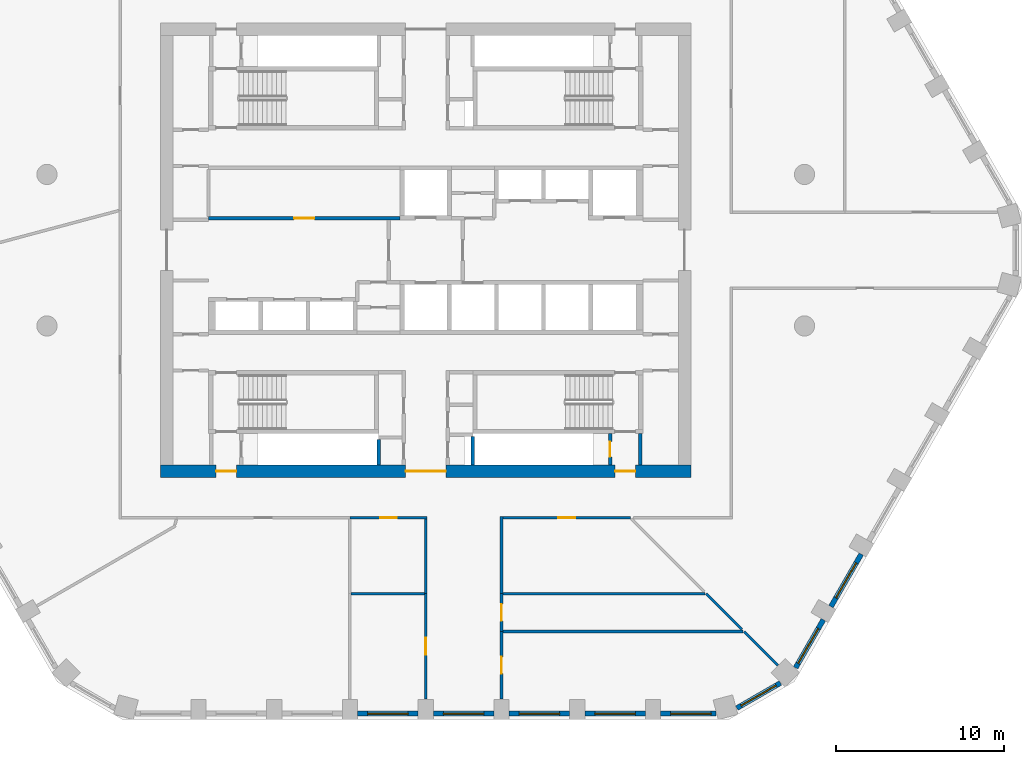
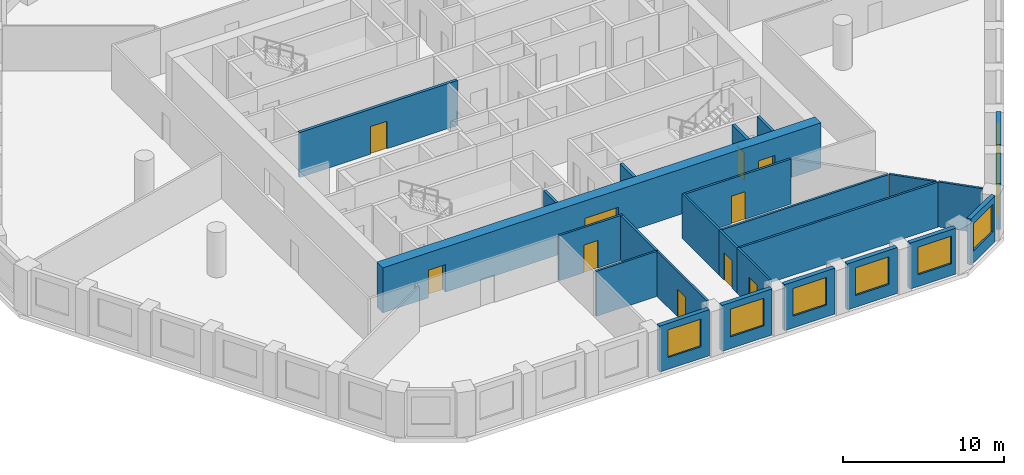
# One storey, part 3 of 9: 26 walls, 10 doors, 8 windows, 18 openings.
"""IFC4 building model written with IfcOpenShell, lengths in metres."""

from ifc_helpers import new_model, si_unit, direction, frame, frame_2d, origin, place, context, subcontext, project, spatial, rectangle, extrude, material, layer, layer_set, type_object, element, fill, save


model = new_model("IFC4")

# Units and contexts
model_context = context("Model", 3, precision=1e-05, world=origin(), true_north=direction((0.0, 1.0)))
body_context = subcontext(model_context, "Body", "Model", "MODEL_VIEW")
ifc_project = project(units=[si_unit("LENGTHUNIT", "METRE"), si_unit("AREAUNIT", "SQUARE_METRE"), si_unit("VOLUMEUNIT", "CUBIC_METRE"), si_unit("PLANEANGLEUNIT", "RADIAN"), si_unit("MASSUNIT", "GRAM", prefix="KILO")], contexts=[model_context])

# Site, building, storey
site_placement = place(None, origin())
site = spatial("IfcSite", under=ifc_project, at=site_placement, CompositionType="ELEMENT")
building_placement = place(site_placement, origin())
building = spatial("IfcBuilding", under=site, at=building_placement, Name="Dhurran Vertical Campus", CompositionType="ELEMENT")
storey_placement = place(building_placement, frame((0.0, 0.0, 175.5)))
storey = spatial("IfcBuildingStorey", under=building, at=storey_placement, Name="L43", CompositionType="ELEMENT", Elevation=175.5)

# Wall, opening, window
ifc_material_1 = material(Name="Precast concrete C50/60", Category="concrete")
ifc_layer_1 = layer(ifc_material_1, 0.300048828125)
ifc_layer_set_1 = layer_set([ifc_layer_1], Name="Precast concrete C50/60")
wall_type_1 = type_object("IfcWallType", Name="Precast spandrel wall 300", PredefinedType="SOLIDWALL", material=ifc_layer_set_1)
wall_1_placement = place(storey_placement, frame((-4.049560546875, -27.53271484375, 0.0), z_axis=(0.0, 0.0, 1.0), x_axis=(1.0, 0.0, 0.0)))
wall_1 = element("IfcWall", 1, at=wall_1_placement, inside=storey, type_object=wall_type_1, Name="EW1 L43.03", PredefinedType="SOLIDWALL", context=body_context, shape_type="SweptSolid", body=[
    extrude(rectangle(XDim=3.59912109375, YDim=0.300048828125, at=frame_2d((1.799560546875, 0.0))), origin(), (0.0, 0.0, 1.0), 3.5),
])
opening_1_placement = place(wall_1_placement, frame((0.599609375, 0.0, 0.89990234375)))
opening_1 = element("IfcOpeningElement", 2, at=opening_1_placement, cuts=wall_1, Name="Opening WT1", PredefinedType="OPENING", context=body_context, shape_type="SweptSolid", body=[
    extrude(rectangle(XDim=2.39990234375, YDim=2.10009765625, at=frame_2d((1.199951171875, 1.050048828125))), frame((0.0, 0.159912109375, 0.0), z_axis=(0.0, -1.0, 0.0), x_axis=(1.0, 0.0, 0.0)), (0.0, 0.0, 1.0), 0.320068359375),
])
ifc_material_2 = material(Name="Aluminium frame with solar-control glass", Category="aluminium")
window_type = type_object("IfcWindowType", Name="Punched window 2400 x 2100", PartitioningType="SINGLE_PANEL", PredefinedType="WINDOW", material=ifc_material_2)
window_1_placement = place(opening_1_placement, origin())
window_1 = element("IfcWindow", 3, at=window_1_placement, inside=storey, type_object=window_type, Name="WT1 L43.03", OverallHeight=2.10009765625, OverallWidth=2.39990234375, PartitioningType="SINGLE_PANEL", PredefinedType="WINDOW", context=body_context, shape_type="SweptSolid", body=[
    extrude(rectangle(XDim=2.39990234375, YDim=2.10009765625, at=frame_2d((1.199951171875, 1.050048828125))), frame((0.0, 0.030029296875, 0.0), z_axis=(0.0, -1.0, 0.0), x_axis=(1.0, 0.0, 0.0)), (0.0, 0.0, 1.0), 0.06005859375),
])
fill(opening_1, window_1)

wall_2_placement = place(storey_placement, frame((0.450439453125, -27.53271484375, 0.0), z_axis=(0.0, 0.0, 1.0), x_axis=(1.0, 0.0, 0.0)))
wall_2 = element("IfcWall", 4, at=wall_2_placement, inside=storey, type_object=wall_type_1, Name="EW1 L43.04", PredefinedType="SOLIDWALL", context=body_context, shape_type="SweptSolid", body=[
    extrude(rectangle(XDim=3.59912109375, YDim=0.300048828125, at=frame_2d((1.799560546875, 0.0))), origin(), (0.0, 0.0, 1.0), 3.5),
])
opening_2_placement = place(wall_2_placement, frame((0.599609375, 0.0, 0.89990234375)))
opening_2 = element("IfcOpeningElement", 5, at=opening_2_placement, cuts=wall_2, Name="Opening WT1", PredefinedType="OPENING", context=body_context, shape_type="SweptSolid", body=[
    extrude(rectangle(XDim=2.39990234375, YDim=2.10009765625, at=frame_2d((1.199951171875, 1.050048828125))), frame((0.0, 0.159912109375, 0.0), z_axis=(0.0, -1.0, 0.0), x_axis=(1.0, 0.0, 0.0)), (0.0, 0.0, 1.0), 0.320068359375),
])
window_2_placement = place(opening_2_placement, origin())
window_2 = element("IfcWindow", 6, at=window_2_placement, inside=storey, type_object=window_type, Name="WT1 L43.04", OverallHeight=2.10009765625, OverallWidth=2.39990234375, PartitioningType="SINGLE_PANEL", PredefinedType="WINDOW", context=body_context, shape_type="SweptSolid", body=[
    extrude(rectangle(XDim=2.39990234375, YDim=2.10009765625, at=frame_2d((1.199951171875, 1.050048828125))), frame((0.0, 0.030029296875, 0.0), z_axis=(0.0, -1.0, 0.0), x_axis=(1.0, 0.0, 0.0)), (0.0, 0.0, 1.0), 0.06005859375),
])
fill(opening_2, window_2)

wall_3_placement = place(storey_placement, frame((4.950439453125, -27.53271484375, 0.0), z_axis=(0.0, 0.0, 1.0), x_axis=(1.0, 0.0, 0.0)))
wall_3 = element("IfcWall", 7, at=wall_3_placement, inside=storey, type_object=wall_type_1, Name="EW1 L43.05", PredefinedType="SOLIDWALL", context=body_context, shape_type="SweptSolid", body=[
    extrude(rectangle(XDim=3.59912109375, YDim=0.300048828125, at=frame_2d((1.799560546875, 0.0))), origin(), (0.0, 0.0, 1.0), 3.5),
])
opening_3_placement = place(wall_3_placement, frame((0.599609375, 0.0, 0.89990234375)))
opening_3 = element("IfcOpeningElement", 8, at=opening_3_placement, cuts=wall_3, Name="Opening WT1", PredefinedType="OPENING", context=body_context, shape_type="SweptSolid", body=[
    extrude(rectangle(XDim=2.39990234375, YDim=2.10009765625, at=frame_2d((1.199951171875, 1.050048828125))), frame((0.0, 0.159912109375, 0.0), z_axis=(0.0, -1.0, 0.0), x_axis=(1.0, 0.0, 0.0)), (0.0, 0.0, 1.0), 0.320068359375),
])
window_3_placement = place(opening_3_placement, origin())
window_3 = element("IfcWindow", 9, at=window_3_placement, inside=storey, type_object=window_type, Name="WT1 L43.05", OverallHeight=2.10009765625, OverallWidth=2.39990234375, PartitioningType="SINGLE_PANEL", PredefinedType="WINDOW", context=body_context, shape_type="SweptSolid", body=[
    extrude(rectangle(XDim=2.39990234375, YDim=2.10009765625, at=frame_2d((1.199951171875, 1.050048828125))), frame((0.0, 0.030029296875, 0.0), z_axis=(0.0, -1.0, 0.0), x_axis=(1.0, 0.0, 0.0)), (0.0, 0.0, 1.0), 0.06005859375),
])
fill(opening_3, window_3)

wall_4_placement = place(storey_placement, frame((9.450439453125, -27.53271484375, 0.0), z_axis=(0.0, 0.0, 1.0), x_axis=(1.0, 0.0, 0.0)))
wall_4 = element("IfcWall", 10, at=wall_4_placement, inside=storey, type_object=wall_type_1, Name="EW1 L43.06", PredefinedType="SOLIDWALL", context=body_context, shape_type="SweptSolid", body=[
    extrude(rectangle(XDim=3.59912109375, YDim=0.300048828125, at=frame_2d((1.799560546875, 0.0))), origin(), (0.0, 0.0, 1.0), 3.5),
])
opening_4_placement = place(wall_4_placement, frame((0.599609375, 0.0, 0.89990234375)))
opening_4 = element("IfcOpeningElement", 11, at=opening_4_placement, cuts=wall_4, Name="Opening WT1", PredefinedType="OPENING", context=body_context, shape_type="SweptSolid", body=[
    extrude(rectangle(XDim=2.39990234375, YDim=2.10009765625, at=frame_2d((1.199951171875, 1.050048828125))), frame((0.0, 0.159912109375, 0.0), z_axis=(0.0, -1.0, 0.0), x_axis=(1.0, 0.0, 0.0)), (0.0, 0.0, 1.0), 0.320068359375),
])
window_4_placement = place(opening_4_placement, origin())
window_4 = element("IfcWindow", 12, at=window_4_placement, inside=storey, type_object=window_type, Name="WT1 L43.06", OverallHeight=2.10009765625, OverallWidth=2.39990234375, PartitioningType="SINGLE_PANEL", PredefinedType="WINDOW", context=body_context, shape_type="SweptSolid", body=[
    extrude(rectangle(XDim=2.39990234375, YDim=2.10009765625, at=frame_2d((1.199951171875, 1.050048828125))), frame((0.0, 0.030029296875, 0.0), z_axis=(0.0, -1.0, 0.0), x_axis=(1.0, 0.0, 0.0)), (0.0, 0.0, 1.0), 0.06005859375),
])
fill(opening_4, window_4)

wall_5_placement = place(storey_placement, frame((13.950439453125, -27.53271484375, 0.0), z_axis=(0.0, 0.0, 1.0), x_axis=(1.0, 0.0, 0.0)))
wall_5 = element("IfcWall", 13, at=wall_5_placement, inside=storey, type_object=wall_type_1, Name="EW1 L43.07", PredefinedType="SOLIDWALL", context=body_context, shape_type="SweptSolid", body=[
    extrude(rectangle(XDim=3.294189453125, YDim=0.300048828125, at=frame_2d((1.64697265625, 0.0))), origin(), (0.0, 0.0, 1.0), 3.5),
])
opening_5_placement = place(wall_5_placement, frame((0.599609375, 0.0, 0.89990234375)))
opening_5 = element("IfcOpeningElement", 14, at=opening_5_placement, cuts=wall_5, Name="Opening WT1", PredefinedType="OPENING", context=body_context, shape_type="SweptSolid", body=[
    extrude(rectangle(XDim=2.39990234375, YDim=2.10009765625, at=frame_2d((1.199951171875, 1.050048828125))), frame((0.0, 0.159912109375, 0.0), z_axis=(0.0, -1.0, 0.0), x_axis=(1.0, 0.0, 0.0)), (0.0, 0.0, 1.0), 0.320068359375),
])
window_5_placement = place(opening_5_placement, origin())
window_5 = element("IfcWindow", 15, at=window_5_placement, inside=storey, type_object=window_type, Name="WT1 L43.07", OverallHeight=2.10009765625, OverallWidth=2.39990234375, PartitioningType="SINGLE_PANEL", PredefinedType="WINDOW", context=body_context, shape_type="SweptSolid", body=[
    extrude(rectangle(XDim=2.39990234375, YDim=2.10009765625, at=frame_2d((1.199951171875, 1.050048828125))), frame((0.0, 0.030029296875, 0.0), z_axis=(0.0, -1.0, 0.0), x_axis=(1.0, 0.0, 0.0)), (0.0, 0.0, 1.0), 0.06005859375),
])
fill(opening_5, window_5)

wall_6_placement = place(storey_placement, frame((18.479248046875, -27.201904296875, 0.0), z_axis=(0.0, 0.0, 1.0), x_axis=(0.866012844897, 0.500021752, 0.0)))
wall_6 = element("IfcWall", 16, at=wall_6_placement, inside=storey, type_object=wall_type_1, Name="EW1 L43.08", PredefinedType="SOLIDWALL", context=body_context, shape_type="SweptSolid", body=[
    extrude(rectangle(XDim=2.989013671875, YDim=0.300048828125, at=frame_2d((1.49462890625, 0.0))), origin(), (0.0, 0.0, 1.0), 3.5),
])
opening_6_placement = place(wall_6_placement, frame((0.294677734375, 0.0, 0.89990234375)))
opening_6 = element("IfcOpeningElement", 17, at=opening_6_placement, cuts=wall_6, Name="Opening WT1", PredefinedType="OPENING", context=body_context, shape_type="SweptSolid", body=[
    extrude(rectangle(XDim=2.39990234375, YDim=2.10009765625, at=frame_2d((1.199951171875, 1.050048828125))), frame((0.0, 0.159912109375, 0.0), z_axis=(0.0, -1.0, 0.0), x_axis=(1.0, 0.0, 0.0)), (0.0, 0.0, 1.0), 0.320068359375),
])
window_6_placement = place(opening_6_placement, origin())
window_6 = element("IfcWindow", 18, at=window_6_placement, inside=storey, type_object=window_type, Name="WT1 L43.08", OverallHeight=2.10009765625, OverallWidth=2.39990234375, PartitioningType="SINGLE_PANEL", PredefinedType="WINDOW", context=body_context, shape_type="SweptSolid", body=[
    extrude(rectangle(XDim=2.39990234375, YDim=2.10009765625, at=frame_2d((1.199951171875, 1.050048828125))), frame((0.0, 0.030029296875, 0.0), z_axis=(0.0, -1.0, 0.0), x_axis=(1.0, 0.0, 0.0)), (0.0, 0.0, 1.0), 0.06005859375),
])
fill(opening_6, window_6)

wall_7_placement = place(storey_placement, frame((21.9716796875, -24.803466796875, 0.0), z_axis=(0.0, 0.0, 1.0), x_axis=(0.500036802197, 0.866004154983, 0.0)))
wall_7 = element("IfcWall", 19, at=wall_7_placement, inside=storey, type_object=wall_type_1, Name="EW1 L43.09", PredefinedType="SOLIDWALL", context=body_context, shape_type="SweptSolid", body=[
    extrude(rectangle(XDim=3.294189453125, YDim=0.300048828125, at=frame_2d((1.64697265625, 0.0))), origin(), (0.0, 0.0, 1.0), 3.5),
])
opening_7_placement = place(wall_7_placement, frame((0.29443359375, 0.0, 0.89990234375)))
opening_7 = element("IfcOpeningElement", 20, at=opening_7_placement, cuts=wall_7, Name="Opening WT1", PredefinedType="OPENING", context=body_context, shape_type="SweptSolid", body=[
    extrude(rectangle(XDim=2.39990234375, YDim=2.10009765625, at=frame_2d((1.199951171875, 1.050048828125))), frame((0.0, 0.159912109375, 0.0), z_axis=(0.0, -1.0, 0.0), x_axis=(1.0, 0.0, 0.0)), (0.0, 0.0, 1.0), 0.320068359375),
])
window_7_placement = place(opening_7_placement, origin())
window_7 = element("IfcWindow", 21, at=window_7_placement, inside=storey, type_object=window_type, Name="WT1 L43.09", OverallHeight=2.10009765625, OverallWidth=2.39990234375, PartitioningType="SINGLE_PANEL", PredefinedType="WINDOW", context=body_context, shape_type="SweptSolid", body=[
    extrude(rectangle(XDim=2.39990234375, YDim=2.10009765625, at=frame_2d((1.199951171875, 1.050048828125))), frame((0.0, 0.030029296875, 0.0), z_axis=(0.0, -1.0, 0.0), x_axis=(1.0, 0.0, 0.0)), (0.0, 0.0, 1.0), 0.06005859375),
])
fill(opening_7, window_7)

wall_8_placement = place(storey_placement, frame((24.0693359375, -21.17041015625, 0.0), z_axis=(0.0, 0.0, 1.0), x_axis=(0.500027802648, 0.866009351323, 0.0)))
wall_8 = element("IfcWall", 22, at=wall_8_placement, inside=storey, type_object=wall_type_1, Name="EW1 L43.10", PredefinedType="SOLIDWALL", context=body_context, shape_type="SweptSolid", body=[
    extrude(rectangle(XDim=3.598876953125, YDim=0.300048828125, at=frame_2d((1.79931640625, 0.0))), origin(), (0.0, 0.0, 1.0), 3.5),
])
opening_8_placement = place(wall_8_placement, frame((0.599609375, 0.0, 0.89990234375)))
opening_8 = element("IfcOpeningElement", 23, at=opening_8_placement, cuts=wall_8, Name="Opening WT1", PredefinedType="OPENING", context=body_context, shape_type="SweptSolid", body=[
    extrude(rectangle(XDim=2.39990234375, YDim=2.10009765625, at=frame_2d((1.199951171875, 1.050048828125))), frame((0.0, 0.159912109375, 0.0), z_axis=(0.0, -1.0, 0.0), x_axis=(1.0, 0.0, 0.0)), (0.0, 0.0, 1.0), 0.320068359375),
])
window_8_placement = place(opening_8_placement, origin())
window_8 = element("IfcWindow", 24, at=window_8_placement, inside=storey, type_object=window_type, Name="WT1 L43.10", OverallHeight=2.10009765625, OverallWidth=2.39990234375, PartitioningType="SINGLE_PANEL", PredefinedType="WINDOW", context=body_context, shape_type="SweptSolid", body=[
    extrude(rectangle(XDim=2.39990234375, YDim=2.10009765625, at=frame_2d((1.199951171875, 1.050048828125))), frame((0.0, 0.030029296875, 0.0), z_axis=(0.0, -1.0, 0.0), x_axis=(1.0, 0.0, 0.0)), (0.0, 0.0, 1.0), 0.06005859375),
])
fill(opening_8, window_8)

# Wall, openings, doors
ifc_material_3 = material(Name="Concrete C60/75", Category="concrete")
ifc_layer_2 = layer(ifc_material_3, 0.75)
ifc_layer_set_2 = layer_set([ifc_layer_2], Name="Concrete C60/75")
wall_type_2 = type_object("IfcWallType", Name="co-CORE-WALL-C1-750", PredefinedType="SHEAR", material=ifc_layer_set_2)
wall_9_placement = place(storey_placement, frame((-15.75, -13.125, 0.0), z_axis=(0.0, 0.0, 1.0), x_axis=(1.0, 0.0, 0.0)))
wall_9 = element("IfcWall", 25, at=wall_9_placement, inside=storey, type_object=wall_type_2, Name="Core wall S L43", PredefinedType="SHEAR", context=body_context, shape_type="SweptSolid", body=[
    extrude(rectangle(XDim=31.5, YDim=0.75, at=frame_2d((15.75, 0.0))), origin(), (0.0, 0.0, 1.0), 3.425048828125),
])
opening_9_placement = place(wall_9_placement, frame((14.550048828125, 0.0, 0.0)))
opening_9 = element("IfcOpeningElement", 26, at=opening_9_placement, cuts=wall_9, Name="Opening CV2", PredefinedType="OPENING", context=body_context, shape_type="SweptSolid", body=[
    extrude(rectangle(XDim=2.39990234375, YDim=2.10009765625, at=frame_2d((1.199951171875, 1.050048828125))), frame((0.0, 0.385009765625, 0.0), z_axis=(0.0, -1.0, 0.0), x_axis=(1.0, 0.0, 0.0)), (0.0, 0.0, 1.0), 0.77001953125),
])
opening_10_placement = place(wall_9_placement, frame((3.300048828125, 0.0, 0.0)))
opening_10 = element("IfcOpeningElement", 27, at=opening_10_placement, cuts=wall_9, Name="Opening XD3", PredefinedType="OPENING", context=body_context, shape_type="SweptSolid", body=[
    extrude(rectangle(XDim=1.199951171875, YDim=2.10009765625, at=frame_2d((0.60009765625, 1.050048828125))), frame((0.0, 0.385009765625, 0.0), z_axis=(0.0, -1.0, 0.0), x_axis=(1.0, 0.0, 0.0)), (0.0, 0.0, 1.0), 0.77001953125),
])
opening_11_placement = place(wall_9_placement, frame((27.0, 0.0, 0.0)))
opening_11 = element("IfcOpeningElement", 28, at=opening_11_placement, cuts=wall_9, Name="Opening XD4", PredefinedType="OPENING", context=body_context, shape_type="SweptSolid", body=[
    extrude(rectangle(XDim=1.199951171875, YDim=2.10009765625, at=frame_2d((0.60009765625, 1.050048828125))), frame((0.0, 0.385009765625, 0.0), z_axis=(0.0, -1.0, 0.0), x_axis=(1.0, 0.0, 0.0)), (0.0, 0.0, 1.0), 0.77001953125),
])
ifc_material_4 = material(Name="Fire-rated glazed door set")
door_type_1 = type_object("IfcDoorType", Name="co-D-LOBBY 2400x2100", OperationType="DOUBLE_DOOR_DOUBLE_SWING", PredefinedType="DOOR", material=ifc_material_4)
door_1_placement = place(opening_9_placement, origin())
door_1 = element("IfcDoor", 29, at=door_1_placement, inside=storey, type_object=door_type_1, Name="Core vestibule door S L43", OperationType="DOUBLE_DOOR_DOUBLE_SWING", OverallHeight=2.10009765625, OverallWidth=2.39990234375, PredefinedType="DOOR", context=body_context, shape_type="SweptSolid", body=[
    extrude(rectangle(XDim=2.39990234375, YDim=2.10009765625, at=frame_2d((1.199951171875, 1.050048828125))), frame((0.0, 0.02490234375, 0.0), z_axis=(0.0, -1.0, 0.0), x_axis=(1.0, 0.0, 0.0)), (0.0, 0.0, 1.0), 0.050048828125),
])
fill(opening_9, door_1)
ifc_material_5 = material(Name="Fire-rated steel door set", Category="steel")
door_type_2 = type_object("IfcDoorType", Name="co-D-STAIR-EXIT 1200x2100", OperationType="SINGLE_SWING_RIGHT", PredefinedType="DOOR", material=ifc_material_5)
door_2_placement = place(opening_10_placement, origin())
door_2 = element("IfcDoor", 30, at=door_2_placement, inside=storey, type_object=door_type_2, Name="Stair ST3 exit door L43", OperationType="SINGLE_SWING_RIGHT", OverallHeight=2.10009765625, OverallWidth=1.199951171875, PredefinedType="DOOR", context=body_context, shape_type="SweptSolid", body=[
    extrude(rectangle(XDim=1.199951171875, YDim=2.10009765625, at=frame_2d((0.60009765625, 1.050048828125))), frame((0.0, 0.02490234375, 0.0), z_axis=(0.0, -1.0, 0.0), x_axis=(1.0, 0.0, 0.0)), (0.0, 0.0, 1.0), 0.050048828125),
])
fill(opening_10, door_2)
door_3_placement = place(opening_11_placement, origin())
door_3 = element("IfcDoor", 31, at=door_3_placement, inside=storey, type_object=door_type_2, Name="Stair ST4 exit door L43", OperationType="SINGLE_SWING_RIGHT", OverallHeight=2.10009765625, OverallWidth=1.199951171875, PredefinedType="DOOR", context=body_context, shape_type="SweptSolid", body=[
    extrude(rectangle(XDim=1.199951171875, YDim=2.10009765625, at=frame_2d((0.60009765625, 1.050048828125))), frame((0.0, 0.02490234375, 0.0), z_axis=(0.0, -1.0, 0.0), x_axis=(1.0, 0.0, 0.0)), (0.0, 0.0, 1.0), 0.050048828125),
])
fill(opening_11, door_3)

# Wall
ifc_material_6 = material(Name="Fire-rated masonry blockwork", Category="masonry")
ifc_layer_3 = layer(ifc_material_6, 0.199951171875)
ifc_layer_set_3 = layer_set([ifc_layer_3], Name="Fire-rated masonry blockwork")
wall_type_3 = type_object("IfcWallType", Name="co-FIRE-PARTITION-200", PredefinedType="PARTITIONING", material=ifc_layer_set_3)
wall_10_placement = place(storey_placement, frame((12.75, -12.75, 0.0), z_axis=(0.0, 0.0, 1.0), x_axis=(0.0, 1.0, 0.0)))
element("IfcWall", 32, at=wall_10_placement, inside=storey, type_object=wall_type_3, Name="Core partition pass-ST4-o L43", PredefinedType="PARTITIONING", context=body_context, shape_type="SweptSolid", body=[
    extrude(rectangle(XDim=1.85009765625, YDim=0.199951171875, at=frame_2d((0.925048828125, 0.0))), origin(), (0.0, 0.0, 1.0), 3.425048828125),
])

# Wall, opening, door
wall_11_placement = place(storey_placement, frame((10.949951171875, -12.75, 0.0), z_axis=(0.0, 0.0, 1.0), x_axis=(0.0, 1.0, 0.0)))
wall_11 = element("IfcWall", 33, at=wall_11_placement, inside=storey, type_object=wall_type_3, Name="Core partition pass-ST4-i L43", PredefinedType="PARTITIONING", context=body_context, shape_type="SweptSolid", body=[
    extrude(rectangle(XDim=1.85009765625, YDim=0.199951171875, at=frame_2d((0.925048828125, 0.0))), origin(), (0.0, 0.0, 1.0), 3.425048828125),
])
opening_12_placement = place(wall_11_placement, frame((0.47509765625, 0.0, 0.0)))
opening_12 = element("IfcOpeningElement", 34, at=opening_12_placement, cuts=wall_11, Name="Opening T12-C13", PredefinedType="OPENING", context=body_context, shape_type="SweptSolid", body=[
    extrude(rectangle(XDim=0.89990234375, YDim=2.10009765625, at=frame_2d((0.449951171875, 1.050048828125))), frame((0.0, 0.10986328125, 0.0), z_axis=(0.0, -1.0, 0.0), x_axis=(1.0, 0.0, 0.0)), (0.0, 0.0, 1.0), 0.219970703125),
])
ifc_material_7 = material(Name="Fire-rated timber door set", Category="wood")
door_type_3 = type_object("IfcDoorType", Name="co-D-ROOM 900x2100", OperationType="SINGLE_SWING_LEFT", PredefinedType="DOOR", material=ifc_material_7)
door_4_placement = place(opening_12_placement, origin())
door_4 = element("IfcDoor", 35, at=door_4_placement, inside=storey, type_object=door_type_3, Name="Riser room door L43", OperationType="SINGLE_SWING_LEFT", OverallHeight=2.10009765625, OverallWidth=0.89990234375, PredefinedType="DOOR", context=body_context, shape_type="SweptSolid", body=[
    extrude(rectangle(XDim=0.89990234375, YDim=2.10009765625, at=frame_2d((0.449951171875, 1.050048828125))), frame((0.0, 0.02490234375, 0.0), z_axis=(0.0, -1.0, 0.0), x_axis=(1.0, 0.0, 0.0)), (0.0, 0.0, 1.0), 0.050048828125),
])
fill(opening_12, door_4)

wall_12_placement = place(storey_placement, frame((-12.89990234375, 1.89990234375, 0.0), z_axis=(0.0, 0.0, 1.0), x_axis=(1.0, 0.0, 0.0)))
wall_12 = element("IfcWall", 36, at=wall_12_placement, inside=storey, type_object=wall_type_3, Name="Core partition fr-N0-f L43", PredefinedType="PARTITIONING", context=body_context, shape_type="SweptSolid", body=[
    extrude(rectangle(XDim=11.375, YDim=0.199951171875, at=frame_2d((5.6875, 0.0))), origin(), (0.0, 0.0, 1.0), 3.425048828125),
])
opening_13_placement = place(wall_12_placement, frame((5.08740234375, 0.0, 0.0)))
opening_13 = element("IfcOpeningElement", 37, at=opening_13_placement, cuts=wall_12, Name="Opening T12-C22", PredefinedType="OPENING", context=body_context, shape_type="SweptSolid", body=[
    extrude(rectangle(XDim=1.199951171875, YDim=2.10009765625, at=frame_2d((0.60009765625, 1.050048828125))), frame((0.0, 0.10986328125, 0.0), z_axis=(0.0, -1.0, 0.0), x_axis=(1.0, 0.0, 0.0)), (0.0, 0.0, 1.0), 0.219970703125),
])
ifc_material_8 = material(Name="Fire-rated steel door set", Category="steel")
door_type_4 = type_object("IfcDoorType", Name="co-D-ROOM-PASSAGE 1200x2100", OperationType="SINGLE_SWING_RIGHT", PredefinedType="DOOR", material=ifc_material_8)
door_5_placement = place(opening_13_placement, origin())
door_5 = element("IfcDoor", 38, at=door_5_placement, inside=storey, type_object=door_type_4, Name="Plant room door L43", OperationType="SINGLE_SWING_RIGHT", OverallHeight=2.10009765625, OverallWidth=1.199951171875, PredefinedType="DOOR", context=body_context, shape_type="SweptSolid", body=[
    extrude(rectangle(XDim=1.199951171875, YDim=2.10009765625, at=frame_2d((0.60009765625, 1.050048828125))), frame((0.0, 0.02490234375, 0.0), z_axis=(0.0, -1.0, 0.0), x_axis=(1.0, 0.0, 0.0)), (0.0, 0.0, 1.0), 0.050048828125),
])
fill(opening_13, door_5)

# Walls
wall_13_placement = place(storey_placement, frame((-2.800048828125, -12.7490234375, 0.0), z_axis=(0.0, 0.0, 1.0), x_axis=(0.0, 1.0, 0.0)))
element("IfcWall", 39, at=wall_13_placement, inside=storey, type_object=wall_type_3, Name="Riser enclosure wall L43", PredefinedType="PARTITIONING", context=body_context, shape_type="SweptSolid", body=[
    extrude(rectangle(XDim=1.51806640625, YDim=0.199951171875, at=frame_2d((0.759033203125, 0.0))), origin(), (0.0, 0.0, 1.0), 3.425048828125),
])
wall_14_placement = place(storey_placement, frame((2.800048828125, -12.7490234375, 0.0), z_axis=(0.0, 0.0, 1.0), x_axis=(0.0, 1.0, 0.0)))
element("IfcWall", 40, at=wall_14_placement, inside=storey, type_object=wall_type_3, Name="Riser enclosure wall L43", PredefinedType="PARTITIONING", context=body_context, shape_type="SweptSolid", body=[
    extrude(rectangle(XDim=1.679931640625, YDim=0.199951171875, at=frame_2d((0.83984375, 0.0))), origin(), (0.0, 0.0, 1.0), 3.425048828125),
])

# Wall, opening, door
ifc_material_9 = material(Name="Gypsum board corridor wall on steel studs", Category="steel")
ifc_layer_4 = layer(ifc_material_9, 0.14990234375)
ifc_layer_set_4 = layer_set([ifc_layer_4], Name="Gypsum board corridor wall on steel studs")
wall_type_4 = type_object("IfcWallType", Name="fl-CW-150 corridor wall", PredefinedType="PARTITIONING", material=ifc_layer_set_4)
wall_15_placement = place(storey_placement, frame((-4.5, -15.89990234375, 0.0), z_axis=(0.0, 0.0, 1.0), x_axis=(1.0, 0.0, 0.0)))
wall_15 = element("IfcWall", 41, at=wall_15_placement, inside=storey, type_object=wall_type_4, Name="Partition 43-15", PredefinedType="PARTITIONING", context=body_context, shape_type="SweptSolid", body=[
    extrude(rectangle(XDim=4.574951171875, YDim=0.14990234375, at=frame_2d((2.28759765625, 0.0))), origin(), (0.0, 0.0, 1.0), 3.425048828125),
])
opening_14_placement = place(wall_15_placement, frame((1.78759765625, 0.0, 0.0)))
opening_14 = element("IfcOpeningElement", 42, at=opening_14_placement, cuts=wall_15, Name="Opening T12.06", PredefinedType="OPENING", context=body_context, shape_type="SweptSolid", body=[
    extrude(rectangle(XDim=1.0, YDim=2.10009765625, at=frame_2d((0.5, 1.050048828125))), frame((0.0, 0.0849609375, 0.0), z_axis=(0.0, -1.0, 0.0), x_axis=(1.0, 0.0, 0.0)), (0.0, 0.0, 1.0), 0.169921875),
])
ifc_material_10 = material(Name="Solid-core timber door set, fire-rated", Category="wood")
door_type_5 = type_object("IfcDoorType", Name="fl-D-1000x2100", OperationType="SINGLE_SWING_LEFT", PredefinedType="DOOR", material=ifc_material_10)
door_6_placement = place(opening_14_placement, origin())
door_6 = element("IfcDoor", 43, at=door_6_placement, inside=storey, type_object=door_type_5, Name="Door 43.06", OperationType="SINGLE_SWING_LEFT", OverallHeight=2.10009765625, OverallWidth=1.0, PredefinedType="DOOR", context=body_context, shape_type="SweptSolid", body=[
    extrude(rectangle(XDim=1.0, YDim=2.10009765625, at=frame_2d((0.5, 1.050048828125))), frame((0.0, 0.02490234375, 0.0), z_axis=(0.0, -1.0, 0.0), x_axis=(1.0, 0.0, 0.0)), (0.0, 0.0, 1.0), 0.050048828125),
])
fill(opening_14, door_6)

wall_16_placement = place(storey_placement, frame((0.0, -26.66259765625, 0.0), z_axis=(0.0, 0.0, 1.0), x_axis=(0.0, 1.0, 0.0)))
wall_16 = element("IfcWall", 44, at=wall_16_placement, inside=storey, type_object=wall_type_4, Name="Partition 43-20", PredefinedType="PARTITIONING", context=body_context, shape_type="SweptSolid", body=[
    extrude(rectangle(XDim=6.2626953125, YDim=0.14990234375, at=frame_2d((3.13134765625, 0.0))), origin(), (0.0, 0.0, 1.0), 3.425048828125),
])
opening_15_placement = place(wall_16_placement, frame((2.63134765625, 0.0, 0.0)))
opening_15 = element("IfcOpeningElement", 45, at=opening_15_placement, cuts=wall_16, Name="Opening T12.05", PredefinedType="OPENING", context=body_context, shape_type="SweptSolid", body=[
    extrude(rectangle(XDim=1.0, YDim=2.10009765625, at=frame_2d((0.5, 1.050048828125))), frame((0.0, 0.0849609375, 0.0), z_axis=(0.0, -1.0, 0.0), x_axis=(1.0, 0.0, 0.0)), (0.0, 0.0, 1.0), 0.169921875),
])
door_7_placement = place(opening_15_placement, origin())
door_7 = element("IfcDoor", 46, at=door_7_placement, inside=storey, type_object=door_type_5, Name="Door 43.05", OperationType="SINGLE_SWING_RIGHT", OverallHeight=2.10009765625, OverallWidth=1.0, PredefinedType="DOOR", context=body_context, shape_type="SweptSolid", body=[
    extrude(rectangle(XDim=1.0, YDim=2.10009765625, at=frame_2d((0.5, 1.050048828125))), frame((0.0, 0.02490234375, 0.0), z_axis=(0.0, -1.0, 0.0), x_axis=(1.0, 0.0, 0.0)), (0.0, 0.0, 1.0), 0.050048828125),
])
fill(opening_15, door_7)

# Wall
wall_17_placement = place(storey_placement, frame((0.0, -20.39990234375, 0.0), z_axis=(0.0, 0.0, 1.0), x_axis=(0.0, 1.0, 0.0)))
element("IfcWall", 47, at=wall_17_placement, inside=storey, type_object=wall_type_4, Name="Partition 43-21", PredefinedType="PARTITIONING", context=body_context, shape_type="SweptSolid", body=[
    extrude(rectangle(XDim=4.4248046875, YDim=0.14990234375, at=frame_2d((2.21240234375, 0.0))), origin(), (0.0, 0.0, 1.0), 3.425048828125),
])

# Wall, opening, door
wall_18_placement = place(storey_placement, frame((4.5, -22.64990234375, 0.0), z_axis=(0.0, 0.0, 1.0), x_axis=(0.0, -1.0, 0.0)))
wall_18 = element("IfcWall", 48, at=wall_18_placement, inside=storey, type_object=wall_type_4, Name="Partition 43-24", PredefinedType="PARTITIONING", context=body_context, shape_type="SweptSolid", body=[
    extrude(rectangle(XDim=4.0126953125, YDim=0.14990234375, at=frame_2d((2.00634765625, 0.0))), origin(), (0.0, 0.0, 1.0), 3.425048828125),
])
opening_16_placement = place(wall_18_placement, frame((1.50634765625, 0.0, 0.0)))
opening_16 = element("IfcOpeningElement", 49, at=opening_16_placement, cuts=wall_18, Name="Opening T12.14", PredefinedType="OPENING", context=body_context, shape_type="SweptSolid", body=[
    extrude(rectangle(XDim=1.0, YDim=2.10009765625, at=frame_2d((0.5, 1.050048828125))), frame((0.0, 0.0849609375, 0.0), z_axis=(0.0, -1.0, 0.0), x_axis=(1.0, 0.0, 0.0)), (0.0, 0.0, 1.0), 0.169921875),
])
door_8_placement = place(opening_16_placement, origin())
door_8 = element("IfcDoor", 50, at=door_8_placement, inside=storey, type_object=door_type_5, Name="Door 43.14", OperationType="SINGLE_SWING_LEFT", OverallHeight=2.10009765625, OverallWidth=1.0, PredefinedType="DOOR", context=body_context, shape_type="SweptSolid", body=[
    extrude(rectangle(XDim=1.0, YDim=2.10009765625, at=frame_2d((0.5, 1.050048828125))), frame((0.0, 0.02490234375, 0.0), z_axis=(0.0, -1.0, 0.0), x_axis=(1.0, 0.0, 0.0)), (0.0, 0.0, 1.0), 0.050048828125),
])
fill(opening_16, door_8)

wall_19_placement = place(storey_placement, frame((4.5, -20.39990234375, 0.0), z_axis=(0.0, 0.0, 1.0), x_axis=(0.0, -1.0, 0.0)))
wall_19 = element("IfcWall", 51, at=wall_19_placement, inside=storey, type_object=wall_type_4, Name="Partition 43-25", PredefinedType="PARTITIONING", context=body_context, shape_type="SweptSolid", body=[
    extrude(rectangle(XDim=2.25, YDim=0.14990234375, at=frame_2d((1.125, 0.0))), origin(), (0.0, 0.0, 1.0), 3.425048828125),
])
opening_17_placement = place(wall_19_placement, frame((0.625, 0.0, 0.0)))
opening_17 = element("IfcOpeningElement", 52, at=opening_17_placement, cuts=wall_19, Name="Opening T12.13", PredefinedType="OPENING", context=body_context, shape_type="SweptSolid", body=[
    extrude(rectangle(XDim=1.0, YDim=2.10009765625, at=frame_2d((0.5, 1.050048828125))), frame((0.0, 0.0849609375, 0.0), z_axis=(0.0, -1.0, 0.0), x_axis=(1.0, 0.0, 0.0)), (0.0, 0.0, 1.0), 0.169921875),
])
door_9_placement = place(opening_17_placement, origin())
door_9 = element("IfcDoor", 53, at=door_9_placement, inside=storey, type_object=door_type_5, Name="Door 43.13", OperationType="SINGLE_SWING_RIGHT", OverallHeight=2.10009765625, OverallWidth=1.0, PredefinedType="DOOR", context=body_context, shape_type="SweptSolid", body=[
    extrude(rectangle(XDim=1.0, YDim=2.10009765625, at=frame_2d((0.5, 1.050048828125))), frame((0.0, 0.02490234375, 0.0), z_axis=(0.0, -1.0, 0.0), x_axis=(1.0, 0.0, 0.0)), (0.0, 0.0, 1.0), 0.050048828125),
])
fill(opening_17, door_9)

# Wall
wall_20_placement = place(storey_placement, frame((4.5, -15.824951171875, 0.0), z_axis=(0.0, 0.0, 1.0), x_axis=(0.0, -1.0, 0.0)))
element("IfcWall", 54, at=wall_20_placement, inside=storey, type_object=wall_type_4, Name="Partition 43-27", PredefinedType="PARTITIONING", context=body_context, shape_type="SweptSolid", body=[
    extrude(rectangle(XDim=4.574951171875, YDim=0.14990234375, at=frame_2d((2.28759765625, 0.0))), origin(), (0.0, 0.0, 1.0), 3.425048828125),
])

# Wall, opening, door
wall_21_placement = place(storey_placement, frame((4.574951171875, -15.89990234375, 0.0), z_axis=(0.0, 0.0, 1.0), x_axis=(1.0, 0.0, 0.0)))
wall_21 = element("IfcWall", 55, at=wall_21_placement, inside=storey, type_object=wall_type_4, Name="Partition 43-29", PredefinedType="PARTITIONING", context=body_context, shape_type="SweptSolid", body=[
    extrude(rectangle(XDim=7.589111328125, YDim=0.14990234375, at=frame_2d((3.79443359375, 0.0))), origin(), (0.0, 0.0, 1.0), 3.425048828125),
])
opening_18_placement = place(wall_21_placement, frame((3.29443359375, 0.0, 0.0)))
opening_18 = element("IfcOpeningElement", 56, at=opening_18_placement, cuts=wall_21, Name="Opening T12.12", PredefinedType="OPENING", context=body_context, shape_type="SweptSolid", body=[
    extrude(rectangle(XDim=1.0, YDim=2.10009765625, at=frame_2d((0.5, 1.050048828125))), frame((0.0, 0.0849609375, 0.0), z_axis=(0.0, -1.0, 0.0), x_axis=(1.0, 0.0, 0.0)), (0.0, 0.0, 1.0), 0.169921875),
])
door_10_placement = place(opening_18_placement, origin())
door_10 = element("IfcDoor", 57, at=door_10_placement, inside=storey, type_object=door_type_5, Name="Door 43.12", OperationType="SINGLE_SWING_RIGHT", OverallHeight=2.10009765625, OverallWidth=1.0, PredefinedType="DOOR", context=body_context, shape_type="SweptSolid", body=[
    extrude(rectangle(XDim=1.0, YDim=2.10009765625, at=frame_2d((0.5, 1.050048828125))), frame((0.0, 0.02490234375, 0.0), z_axis=(0.0, -1.0, 0.0), x_axis=(1.0, 0.0, 0.0)), (0.0, 0.0, 1.0), 0.050048828125),
])
fill(opening_18, door_10)

# Walls
ifc_material_11 = material(Name="Gypsum board partition on steel studs", Category="steel")
ifc_layer_5 = layer(ifc_material_11, 0.14990234375)
ifc_layer_set_5 = layer_set([ifc_layer_5], Name="Gypsum board partition on steel studs")
wall_type_5 = type_object("IfcWallType", Name="fl-PW-150 fixed partition", PredefinedType="PARTITIONING", material=ifc_layer_set_5)
wall_22_placement = place(storey_placement, frame((-4.425048828125, -20.39990234375, 0.0), z_axis=(0.0, 0.0, 1.0), x_axis=(1.0, 0.0, 0.0)))
element("IfcWall", 58, at=wall_22_placement, inside=storey, type_object=wall_type_5, Name="Partition 43-14", PredefinedType="PARTITIONING", context=body_context, shape_type="SweptSolid", body=[
    extrude(rectangle(XDim=4.35009765625, YDim=0.14990234375, at=frame_2d((2.175048828125, 0.0))), origin(), (0.0, 0.0, 1.0), 3.425048828125),
])
wall_23_placement = place(storey_placement, frame((18.839111328125, -22.64990234375, 0.0), z_axis=(0.0, 0.0, 1.0), x_axis=(-1.0, 0.0, 0.0)))
element("IfcWall", 59, at=wall_23_placement, inside=storey, type_object=wall_type_5, Name="Partition 43-26", PredefinedType="PARTITIONING", context=body_context, shape_type="SweptSolid", body=[
    extrude(rectangle(XDim=14.26416015625, YDim=0.14990234375, at=frame_2d((7.132080078125, 0.0))), origin(), (0.0, 0.0, 1.0), 3.425048828125),
])
wall_24_placement = place(storey_placement, frame((16.589111328125, -20.39990234375, 0.0), z_axis=(0.0, 0.0, 1.0), x_axis=(-1.0, 0.0, 0.0)))
element("IfcWall", 60, at=wall_24_placement, inside=storey, type_object=wall_type_5, Name="Partition 43-28", PredefinedType="PARTITIONING", context=body_context, shape_type="SweptSolid", body=[
    extrude(rectangle(XDim=12.01416015625, YDim=0.14990234375, at=frame_2d((6.007080078125, 0.0))), origin(), (0.0, 0.0, 1.0), 3.425048828125),
])
wall_25_placement = place(storey_placement, frame((16.6640625, -20.39990234375, 0.0), z_axis=(0.0, 0.0, 1.0), x_axis=(0.707066186027, -0.707147374015, 0.0)))
element("IfcWall", 61, at=wall_25_placement, inside=storey, type_object=wall_type_5, Name="Partition 43-42", PredefinedType="PARTITIONING", context=body_context, shape_type="SweptSolid", body=[
    extrude(rectangle(XDim=3.007080078125, YDim=0.14990234375, at=frame_2d((1.50341796875, 0.0))), origin(), (0.0, 0.0, 1.0), 3.425048828125),
])
wall_26_placement = place(storey_placement, frame((18.9140625, -22.64990234375, 0.0), z_axis=(0.0, 0.0, 1.0), x_axis=(0.707063760666, -0.707149799089, 0.0)))
element("IfcWall", 62, at=wall_26_placement, inside=storey, type_object=wall_type_5, Name="Partition 43-47", PredefinedType="PARTITIONING", context=body_context, shape_type="SweptSolid", body=[
    extrude(rectangle(XDim=2.837646484375, YDim=0.14990234375, at=frame_2d((1.4189453125, 0.0))), origin(), (0.0, 0.0, 1.0), 3.425048828125),
])

save(model, "model.ifc")
